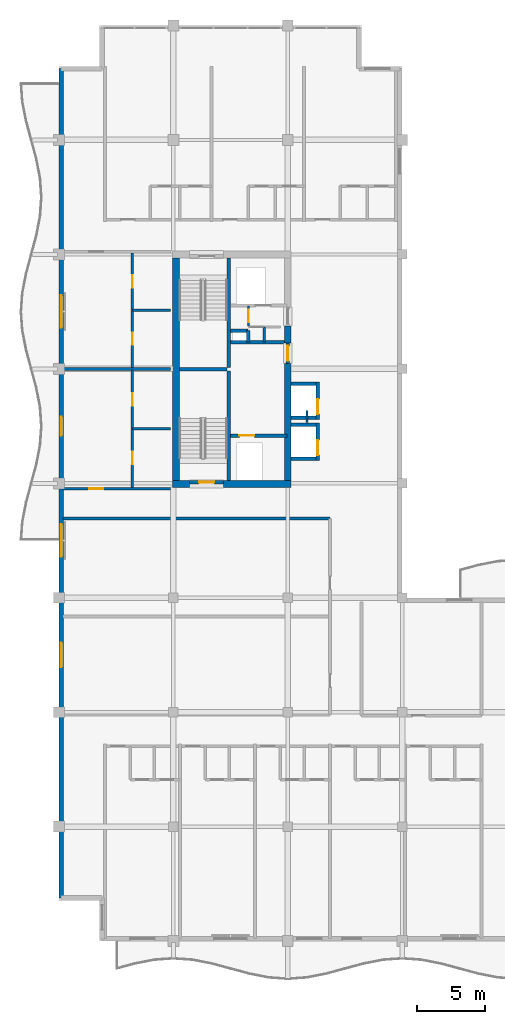
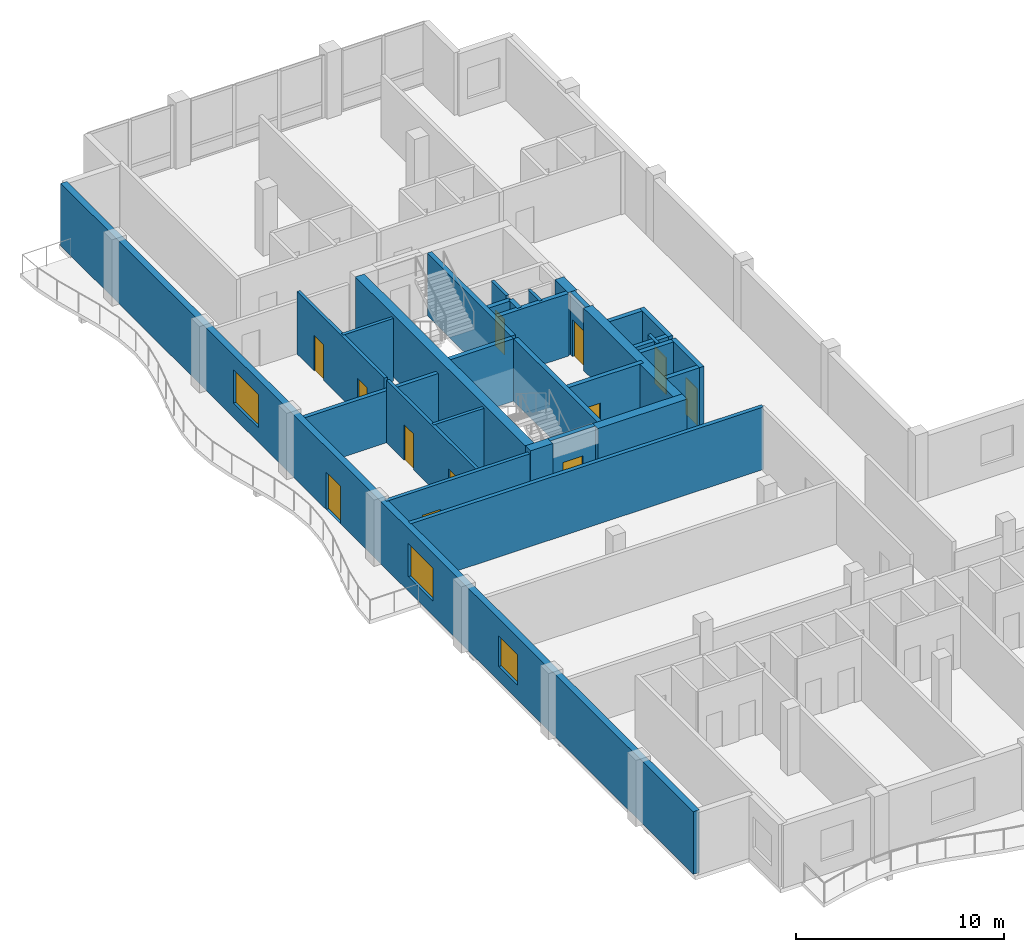
# One storey, part 10 of 17: 31 walls, 12 doors, 3 windows, 15 openings.
"""IFC4 building model written with IfcOpenShell, lengths in metres."""

from ifc_helpers import new_model, si_unit, direction, frame, frame_2d, origin, place, context, subcontext, project, spatial, rectangle, extrude, material, layer, layer_set, type_object, element, fill, save


model = new_model("IFC4")

# Units and contexts
model_context = context("Model", 3, precision=1e-05, world=origin(), true_north=direction((0.0, 1.0)))
body_context = subcontext(model_context, "Body", "Model", "MODEL_VIEW")
ifc_project = project(units=[si_unit("LENGTHUNIT", "METRE"), si_unit("AREAUNIT", "SQUARE_METRE"), si_unit("VOLUMEUNIT", "CUBIC_METRE"), si_unit("PLANEANGLEUNIT", "RADIAN"), si_unit("MASSUNIT", "GRAM", prefix="KILO")], contexts=[model_context])

# Site, building, storey
site_placement = place(None, origin())
site = spatial("IfcSite", under=ifc_project, at=site_placement, CompositionType="ELEMENT")
building_placement = place(site_placement, origin())
building = spatial("IfcBuilding", under=site, at=building_placement, Name="Koriwani Terraces Tower", CompositionType="ELEMENT")
storey_placement = place(building_placement, frame((0.0, 0.0, 347.60009765625)))
storey = spatial("IfcBuildingStorey", under=building, at=storey_placement, Name="L86", CompositionType="ELEMENT", Elevation=347.60009765625)

# Walls
ifc_material_1 = material(Name="Concrete C50/60", Category="concrete")
ifc_layer_1 = layer(ifc_material_1, 0.5, Name="Concrete C50/60")
ifc_layer_set_1 = layer_set([ifc_layer_1], Name="Concrete C50/60")
wall_type_1 = type_object("IfcWallType", Name="WALL_CORE_RC_500", PredefinedType="SHEAR", material=ifc_layer_set_1)
wall_1_placement = place(storey_placement, frame((16.75, 41.949951171875, 0.0), z_axis=(0.0, 0.0, 1.0), x_axis=(1.0, 0.0, 0.0)))
element("IfcWall", 1, at=wall_1_placement, inside=storey, type_object=wall_type_1, Name="L86 West Split Core Shear Wall S1", PredefinedType="SHEAR", context=body_context, shape_type="SweptSolid", body=[
    extrude(rectangle(XDim=1.25, YDim=0.5, at=frame_2d((0.625, 0.0))), origin(), (0.0, 0.0, 1.0), 3.669921875),
])
wall_2_placement = place(storey_placement, frame((20.5, 41.949951171875, 0.0), z_axis=(0.0, 0.0, 1.0), x_axis=(1.0, 0.0, 0.0)))
element("IfcWall", 2, at=wall_2_placement, inside=storey, type_object=wall_type_1, Name="L86 West Split Core Shear Wall S2", PredefinedType="SHEAR", context=body_context, shape_type="SweptSolid", body=[
    extrude(rectangle(XDim=4.949951171875, YDim=0.5, at=frame_2d((2.47509765625, 0.0))), origin(), (0.0, 0.0, 1.0), 3.669921875),
])
wall_3_placement = place(storey_placement, frame((17.0, 42.199951171875, 0.0), z_axis=(0.0, 0.0, 1.0), x_axis=(0.0, 1.0, 0.0)))
element("IfcWall", 3, at=wall_3_placement, inside=storey, type_object=wall_type_1, Name="L86 West Split Core Shear Wall W1", PredefinedType="SHEAR", context=body_context, shape_type="SweptSolid", body=[
    extrude(rectangle(XDim=16.35009765625, YDim=0.5, at=frame_2d((8.175048828125, 0.0))), origin(), (0.0, 0.0, 1.0), 3.669921875),
])
wall_4_placement = place(storey_placement, frame((25.199951171875, 42.199951171875, 0.0), z_axis=(0.0, 0.0, 1.0), x_axis=(0.0, 1.0, 0.0)))
element("IfcWall", 4, at=wall_4_placement, inside=storey, type_object=wall_type_1, Name="L86 West Split Core Shear Wall E1", PredefinedType="SHEAR", context=body_context, shape_type="SweptSolid", body=[
    extrude(rectangle(XDim=8.60009765625, YDim=0.5, at=frame_2d((4.300048828125, 0.0))), origin(), (0.0, 0.0, 1.0), 3.669921875),
])
wall_5_placement = place(storey_placement, frame((25.199951171875, 52.280029296875, 0.0), z_axis=(0.0, 0.0, 1.0), x_axis=(0.0, 1.0, 0.0)))
element("IfcWall", 5, at=wall_5_placement, inside=storey, type_object=wall_type_1, Name="L86 West Split Core Shear Wall E2", PredefinedType="SHEAR", context=body_context, shape_type="SweptSolid", body=[
    extrude(rectangle(XDim=1.27001953125, YDim=0.5, at=frame_2d((0.635009765625, 0.0))), origin(), (0.0, 0.0, 1.0), 3.669921875),
])

# Wall, opening, door
ifc_material_2 = material(Name="Autoclaved Cellular Concrete Blockwork", Category="masonry")
ifc_layer_2 = layer(ifc_material_2, 0.199951171875, Name="Autoclaved Cellular Concrete Blockwork")
ifc_layer_set_2 = layer_set([ifc_layer_2], Name="Autoclaved Cellular Concrete Blockwork")
wall_type_2 = type_object("IfcWallType", Name="WALL_CORRIDOR_200", PredefinedType="PARTITIONING", material=ifc_layer_set_2)
wall_6_placement = place(storey_placement, frame((8.64990234375, 41.60009765625, 0.0), z_axis=(0.0, 0.0, 1.0), x_axis=(1.0, 0.0, 0.0)))
wall_6 = element("IfcWall", 6, at=wall_6_placement, inside=storey, type_object=wall_type_2, Name="L86 Interior Wall WRZ4-WS-L86", PredefinedType="PARTITIONING", context=body_context, shape_type="SweptSolid", body=[
    extrude(rectangle(XDim=7.9501953125, YDim=0.199951171875, at=frame_2d((3.97509765625, 0.0))), origin(), (0.0, 0.0, 1.0), 3.669921875),
])
opening_1_placement = place(wall_6_placement, frame((2.0, 0.0, 0.0)))
opening_1 = element("IfcOpeningElement", 7, at=opening_1_placement, cuts=wall_6, Name="Opening D-05", PredefinedType="OPENING", context=body_context, shape_type="SweptSolid", body=[
    extrude(rectangle(XDim=1.0, YDim=2.14990234375, at=frame_2d((0.5, 1.074951171875))), frame((0.0, 0.10986328125, 0.0), z_axis=(0.0, -1.0, 0.0), x_axis=(1.0, 0.0, 0.0)), (0.0, 0.0, 1.0), 0.219970703125),
])
ifc_material_3 = material(Name="Architectural Oak Fire Door", Category="wood")
door_type_1 = type_object("IfcDoorType", Name="DOOR_SUITE_ENTRY_1000X2150", OperationType="NOTDEFINED", PredefinedType="DOOR", material=ifc_material_3)
door_1_placement = place(opening_1_placement, origin())
door_1 = element("IfcDoor", 8, at=door_1_placement, inside=storey, type_object=door_type_1, Name="Apartment 86RW1 Entrance Door", OperationType="SINGLE_SWING_LEFT", OverallHeight=2.14990234375, OverallWidth=1.0, PredefinedType="DOOR", context=body_context, shape_type="SweptSolid", body=[
    extrude(rectangle(XDim=1.0, YDim=2.14990234375, at=frame_2d((0.5, 1.074951171875))), frame((0.0, 0.02490234375, 0.0), z_axis=(0.0, -1.0, 0.0), x_axis=(1.0, 0.0, 0.0)), (0.0, 0.0, 1.0), 0.050048828125),
])
fill(opening_1, door_1)

# Walls
ifc_layer_3 = layer(ifc_material_2, 0.219970703125, Name="Autoclaved Cellular Concrete Blockwork")
ifc_layer_set_3 = layer_set([ifc_layer_3], Name="Autoclaved Cellular Concrete Blockwork")
wall_type_3 = type_object("IfcWallType", Name="WALL_DEMISING_220", PredefinedType="PARTITIONING", material=ifc_layer_set_3)
wall_7_placement = place(storey_placement, frame((8.64990234375, 50.39990234375, 0.0), z_axis=(0.0, 0.0, 1.0), x_axis=(1.0, 0.0, 0.0)))
element("IfcWall", 9, at=wall_7_placement, inside=storey, type_object=wall_type_3, Name="L86 Interior Wall WRZ4-WM-L86", PredefinedType="PARTITIONING", context=body_context, shape_type="SweptSolid", body=[
    extrude(rectangle(XDim=7.9501953125, YDim=0.219970703125, at=frame_2d((3.97509765625, 0.0))), origin(), (0.0, 0.0, 1.0), 3.058837890625),
])
wall_8_placement = place(storey_placement, frame((8.699951171875, 39.39990234375, 0.0), z_axis=(0.0, 0.0, 1.0), x_axis=(1.0, 0.0, 0.0)))
element("IfcWall", 10, at=wall_8_placement, inside=storey, type_object=wall_type_3, Name="L86 Interior Wall WZ4NEN-L86", PredefinedType="PARTITIONING", context=body_context, shape_type="SweptSolid", body=[
    extrude(rectangle(XDim=19.60009765625, YDim=0.219970703125, at=frame_2d((9.800048828125, 0.0))), origin(), (0.0, 0.0, 1.0), 3.669921875),
])

# Wall, openings, door, windows
ifc_layer_4 = layer(ifc_material_1, 0.35009765625, Name="Concrete C50/60")
ifc_layer_set_4 = layer_set([ifc_layer_4], Name="Concrete C50/60")
wall_type_4 = type_object("IfcWallType", Name="WALL_EXT_BRUTALIST_350", PredefinedType="STANDARD", material=ifc_layer_set_4)
wall_9_placement = place(storey_placement, frame((8.574951171875, 11.574951171875, 0.0), z_axis=(0.0, 0.0, 1.0), x_axis=(0.0, 1.0, 0.0)))
wall_9 = element("IfcWall", 11, at=wall_9_placement, inside=storey, type_object=wall_type_4, Name="L86 Fair-Faced Brutalist Exterior Wall (W)", PredefinedType="STANDARD", context=body_context, shape_type="SweptSolid", body=[
    extrude(rectangle(XDim=60.85009765625, YDim=0.35009765625, at=frame_2d((30.425048828125, 0.0))), origin(), (0.0, 0.0, 1.0), 3.669921875),
])
opening_2_placement = place(wall_9_placement, frame((33.925048828125, 0.0, 0.0)))
opening_2 = element("IfcOpeningElement", 12, at=opening_2_placement, cuts=wall_9, Name="Opening D-09", PredefinedType="OPENING", context=body_context, shape_type="SweptSolid", body=[
    extrude(rectangle(XDim=1.39990234375, YDim=2.199951171875, at=frame_2d((0.699951171875, 1.10009765625))), frame((0.0, 0.18505859375, 0.0), z_axis=(0.0, -1.0, 0.0), x_axis=(1.0, 0.0, 0.0)), (0.0, 0.0, 1.0), 0.3701171875),
])
opening_3_placement = place(wall_9_placement, frame((16.925048828125, 0.0, 0.85009765625)))
opening_3 = element("IfcOpeningElement", 13, at=opening_3_placement, cuts=wall_9, Name="Opening W-04", PredefinedType="OPENING", context=body_context, shape_type="SweptSolid", body=[
    extrude(rectangle(XDim=1.800048828125, YDim=1.800048828125, at=frame_2d((0.89990234375, 0.89990234375))), frame((0.0, 0.18505859375, 0.0), z_axis=(0.0, -1.0, 0.0), x_axis=(1.0, 0.0, 0.0)), (0.0, 0.0, 1.0), 0.3701171875),
])
opening_4_placement = place(wall_9_placement, frame((25.02490234375, 0.0, 0.85009765625)))
opening_4 = element("IfcOpeningElement", 14, at=opening_4_placement, cuts=wall_9, Name="Opening W-03", PredefinedType="OPENING", context=body_context, shape_type="SweptSolid", body=[
    extrude(rectangle(XDim=2.39990234375, YDim=1.949951171875, at=frame_2d((1.199951171875, 0.97509765625))), frame((0.0, 0.18505859375, 0.0), z_axis=(0.0, -1.0, 0.0), x_axis=(1.0, 0.0, 0.0)), (0.0, 0.0, 1.0), 0.3701171875),
])
opening_5_placement = place(wall_9_placement, frame((41.824951171875, 0.0, 0.85009765625)))
opening_5 = element("IfcOpeningElement", 15, at=opening_5_placement, cuts=wall_9, Name="Opening W-03", PredefinedType="OPENING", context=body_context, shape_type="SweptSolid", body=[
    extrude(rectangle(XDim=2.39990234375, YDim=1.949951171875, at=frame_2d((1.199951171875, 0.97509765625))), frame((0.0, 0.18505859375, 0.0), z_axis=(0.0, -1.0, 0.0), x_axis=(1.0, 0.0, 0.0)), (0.0, 0.0, 1.0), 0.3701171875),
])
ifc_material_4 = material(Name="Anodised Bronze Aluminium", Category="aluminium")
door_type_2 = type_object("IfcDoorType", Name="DOOR_BALCONY_GLAZED_1400X2200", OperationType="NOTDEFINED", PredefinedType="DOOR", material=ifc_material_4)
door_2_placement = place(opening_2_placement, origin())
door_2 = element("IfcDoor", 16, at=door_2_placement, inside=storey, type_object=door_type_2, Name="L86 West Balcony Glazed Door", OperationType="SINGLE_SWING_LEFT", OverallHeight=2.199951171875, OverallWidth=1.39990234375, PredefinedType="DOOR", context=body_context, shape_type="SweptSolid", body=[
    extrude(rectangle(XDim=1.39990234375, YDim=2.199951171875, at=frame_2d((0.699951171875, 1.10009765625))), frame((0.0, 0.02490234375, 0.0), z_axis=(0.0, -1.0, 0.0), x_axis=(1.0, 0.0, 0.0)), (0.0, 0.0, 1.0), 0.050048828125),
])
fill(opening_2, door_2)
ifc_material_5 = material(Name="Tempered Laminated Low-E Glass", Category="glass")
window_type_1 = type_object("IfcWindowType", Name="WIN_RES_BED_1800X1800", PartitioningType="DOUBLE_PANEL_VERTICAL", PredefinedType="WINDOW", material=ifc_material_5)
window_1_placement = place(opening_3_placement, origin())
window_1 = element("IfcWindow", 17, at=window_1_placement, inside=storey, type_object=window_type_1, Name="L86 Exterior Window (W-6)", OverallHeight=1.800048828125, OverallWidth=1.800048828125, PartitioningType="SINGLE_PANEL", PredefinedType="WINDOW", context=body_context, shape_type="SweptSolid", body=[
    extrude(rectangle(XDim=1.800048828125, YDim=1.800048828125, at=frame_2d((0.89990234375, 0.89990234375))), frame((0.0, 0.030029296875, 0.0), z_axis=(0.0, -1.0, 0.0), x_axis=(1.0, 0.0, 0.0)), (0.0, 0.0, 1.0), 0.06005859375),
])
fill(opening_3, window_1)
window_type_2 = type_object("IfcWindowType", Name="WIN_RES_LIVING_2400X1950", PartitioningType="DOUBLE_PANEL_VERTICAL", PredefinedType="WINDOW", material=ifc_material_5)
window_2_placement = place(opening_4_placement, origin())
window_2 = element("IfcWindow", 18, at=window_2_placement, inside=storey, type_object=window_type_2, Name="L86 Exterior Window (W-9)", OverallHeight=1.949951171875, OverallWidth=2.39990234375, PartitioningType="SINGLE_PANEL", PredefinedType="WINDOW", context=body_context, shape_type="SweptSolid", body=[
    extrude(rectangle(XDim=2.39990234375, YDim=1.949951171875, at=frame_2d((1.199951171875, 0.97509765625))), frame((0.0, 0.030029296875, 0.0), z_axis=(0.0, -1.0, 0.0), x_axis=(1.0, 0.0, 0.0)), (0.0, 0.0, 1.0), 0.06005859375),
])
fill(opening_4, window_2)
window_3_placement = place(opening_5_placement, origin())
window_3 = element("IfcWindow", 19, at=window_3_placement, inside=storey, type_object=window_type_2, Name="L86 Exterior Window (W-15)", OverallHeight=1.949951171875, OverallWidth=2.39990234375, PartitioningType="SINGLE_PANEL", PredefinedType="WINDOW", context=body_context, shape_type="SweptSolid", body=[
    extrude(rectangle(XDim=2.39990234375, YDim=1.949951171875, at=frame_2d((1.199951171875, 0.97509765625))), frame((0.0, 0.030029296875, 0.0), z_axis=(0.0, -1.0, 0.0), x_axis=(1.0, 0.0, 0.0)), (0.0, 0.0, 1.0), 0.06005859375),
])
fill(opening_5, window_3)

# Wall, openings, doors
ifc_material_6 = material(Name="Fire-Rated Acoustic Gypsum Partition", Category="masonry")
ifc_layer_5 = layer(ifc_material_6, 0.179931640625, Name="Fire-Rated Acoustic Gypsum Partition")
ifc_layer_set_5 = layer_set([ifc_layer_5], Name="Fire-Rated Acoustic Gypsum Partition")
wall_type_5 = type_object("IfcWallType", Name="WALL_PLUMBING_180", PredefinedType="PLUMBINGWALL", material=ifc_layer_set_5)
wall_10_placement = place(storey_placement, frame((13.800048828125, 41.699951171875, 0.0), z_axis=(0.0, 0.0, 1.0), x_axis=(0.0, 1.0, 0.0)))
wall_10 = element("IfcWall", 20, at=wall_10_placement, inside=storey, type_object=wall_type_5, Name="L86 Interior Wall WRZ4-RW1-PB-L86", PredefinedType="PLUMBINGWALL", context=body_context, shape_type="SweptSolid", body=[
    extrude(rectangle(XDim=8.60009765625, YDim=0.179931640625, at=frame_2d((4.300048828125, 0.0))), origin(), (0.0, 0.0, 1.0), 3.669921875),
])
opening_6_placement = place(wall_10_placement, frame((1.699951171875, 0.0, 0.0)))
opening_6 = element("IfcOpeningElement", 21, at=opening_6_placement, cuts=wall_10, Name="Opening D-07", PredefinedType="OPENING", context=body_context, shape_type="SweptSolid", body=[
    extrude(rectangle(XDim=0.89990234375, YDim=2.10009765625, at=frame_2d((0.449951171875, 1.050048828125))), frame((0.0, 0.10009765625, 0.0), z_axis=(0.0, -1.0, 0.0), x_axis=(1.0, 0.0, 0.0)), (0.0, 0.0, 1.0), 0.199951171875),
])
opening_7_placement = place(wall_10_placement, frame((5.989990234375, 0.0, 0.0)))
opening_7 = element("IfcOpeningElement", 22, at=opening_7_placement, cuts=wall_10, Name="Opening D-06", PredefinedType="OPENING", context=body_context, shape_type="SweptSolid", body=[
    extrude(rectangle(XDim=0.919921875, YDim=2.10009765625, at=frame_2d((0.4599609375, 1.050048828125))), frame((0.0, 0.10009765625, 0.0), z_axis=(0.0, -1.0, 0.0), x_axis=(1.0, 0.0, 0.0)), (0.0, 0.0, 1.0), 0.199951171875),
])
door_type_3 = type_object("IfcDoorType", Name="DOOR_BATH_INT_900X2100", OperationType="NOTDEFINED", PredefinedType="DOOR", material=ifc_material_3)
door_3_placement = place(opening_6_placement, origin())
door_3 = element("IfcDoor", 23, at=door_3_placement, inside=storey, type_object=door_type_3, Name="Apartment 86RW1 Bathroom Door", OperationType="SINGLE_SWING_LEFT", OverallHeight=2.10009765625, OverallWidth=0.89990234375, PredefinedType="DOOR", context=body_context, shape_type="SweptSolid", body=[
    extrude(rectangle(XDim=0.89990234375, YDim=2.10009765625, at=frame_2d((0.449951171875, 1.050048828125))), frame((0.0, 0.02490234375, 0.0), z_axis=(0.0, -1.0, 0.0), x_axis=(1.0, 0.0, 0.0)), (0.0, 0.0, 1.0), 0.050048828125),
])
fill(opening_6, door_3)
door_type_4 = type_object("IfcDoorType", Name="DOOR_ROOM_INT_920X2100", OperationType="NOTDEFINED", PredefinedType="DOOR", material=ifc_material_3)
door_4_placement = place(opening_7_placement, origin())
door_4 = element("IfcDoor", 24, at=door_4_placement, inside=storey, type_object=door_type_4, Name="Apartment 86RW1 Kitchen Door", OperationType="SINGLE_SWING_RIGHT", OverallHeight=2.10009765625, OverallWidth=0.919921875, PredefinedType="DOOR", context=body_context, shape_type="SweptSolid", body=[
    extrude(rectangle(XDim=0.919921875, YDim=2.10009765625, at=frame_2d((0.4599609375, 1.050048828125))), frame((0.0, 0.02490234375, 0.0), z_axis=(0.0, -1.0, 0.0), x_axis=(1.0, 0.0, 0.0)), (0.0, 0.0, 1.0), 0.050048828125),
])
fill(opening_7, door_4)

# Wall
wall_11_placement = place(storey_placement, frame((13.800048828125, 46.0, 0.0), z_axis=(0.0, 0.0, 1.0), x_axis=(1.0, 0.0, 0.0)))
element("IfcWall", 25, at=wall_11_placement, inside=storey, type_object=wall_type_5, Name="L86 Interior Wall WRZ4-RW1-P2-L86", PredefinedType="PLUMBINGWALL", context=body_context, shape_type="SweptSolid", body=[
    extrude(rectangle(XDim=2.800048828125, YDim=0.179931640625, at=frame_2d((1.39990234375, 0.0))), origin(), (0.0, 0.0, 1.0), 3.669921875),
])

# Wall, openings, doors
wall_12_placement = place(storey_placement, frame((13.800048828125, 50.5, 0.0), z_axis=(0.0, 0.0, 1.0), x_axis=(0.0, 1.0, 0.0)))
wall_12 = element("IfcWall", 26, at=wall_12_placement, inside=storey, type_object=wall_type_5, Name="L86 Interior Wall WRZ4-RW2-PB-L86", PredefinedType="PLUMBINGWALL", context=body_context, shape_type="SweptSolid", body=[
    extrude(rectangle(XDim=8.39990234375, YDim=0.179931640625, at=frame_2d((4.199951171875, 0.0))), origin(), (0.0, 0.0, 1.0), 3.669921875),
])
opening_8_placement = place(wall_12_placement, frame((1.64990234375, 0.0, 0.0)))
opening_8 = element("IfcOpeningElement", 27, at=opening_8_placement, cuts=wall_12, Name="Opening D-07", PredefinedType="OPENING", context=body_context, shape_type="SweptSolid", body=[
    extrude(rectangle(XDim=0.89990234375, YDim=2.10009765625, at=frame_2d((0.449951171875, 1.050048828125))), frame((0.0, 0.10009765625, 0.0), z_axis=(0.0, -1.0, 0.0), x_axis=(1.0, 0.0, 0.0)), (0.0, 0.0, 1.0), 0.199951171875),
])
opening_9_placement = place(wall_12_placement, frame((5.840087890625, 0.0, 0.0)))
opening_9 = element("IfcOpeningElement", 28, at=opening_9_placement, cuts=wall_12, Name="Opening D-06", PredefinedType="OPENING", context=body_context, shape_type="SweptSolid", body=[
    extrude(rectangle(XDim=0.919921875, YDim=2.10009765625, at=frame_2d((0.4599609375, 1.050048828125))), frame((0.0, 0.10009765625, 0.0), z_axis=(0.0, -1.0, 0.0), x_axis=(1.0, 0.0, 0.0)), (0.0, 0.0, 1.0), 0.199951171875),
])
door_5_placement = place(opening_8_placement, origin())
door_5 = element("IfcDoor", 29, at=door_5_placement, inside=storey, type_object=door_type_3, Name="Apartment 86RW2 Bathroom Door", OperationType="SINGLE_SWING_LEFT", OverallHeight=2.10009765625, OverallWidth=0.89990234375, PredefinedType="DOOR", context=body_context, shape_type="SweptSolid", body=[
    extrude(rectangle(XDim=0.89990234375, YDim=2.10009765625, at=frame_2d((0.449951171875, 1.050048828125))), frame((0.0, 0.02490234375, 0.0), z_axis=(0.0, -1.0, 0.0), x_axis=(1.0, 0.0, 0.0)), (0.0, 0.0, 1.0), 0.050048828125),
])
fill(opening_8, door_5)
door_6_placement = place(opening_9_placement, origin())
door_6 = element("IfcDoor", 30, at=door_6_placement, inside=storey, type_object=door_type_4, Name="Apartment 86RW2 Kitchen Door", OperationType="SINGLE_SWING_RIGHT", OverallHeight=2.10009765625, OverallWidth=0.919921875, PredefinedType="DOOR", context=body_context, shape_type="SweptSolid", body=[
    extrude(rectangle(XDim=0.919921875, YDim=2.10009765625, at=frame_2d((0.4599609375, 1.050048828125))), frame((0.0, 0.02490234375, 0.0), z_axis=(0.0, -1.0, 0.0), x_axis=(1.0, 0.0, 0.0)), (0.0, 0.0, 1.0), 0.050048828125),
])
fill(opening_9, door_6)

# Walls
wall_13_placement = place(storey_placement, frame((13.800048828125, 54.699951171875, 0.0), z_axis=(0.0, 0.0, 1.0), x_axis=(1.0, 0.0, 0.0)))
element("IfcWall", 31, at=wall_13_placement, inside=storey, type_object=wall_type_5, Name="L86 Interior Wall WRZ4-RW2-P2-L86", PredefinedType="PLUMBINGWALL", context=body_context, shape_type="SweptSolid", body=[
    extrude(rectangle(XDim=2.800048828125, YDim=0.179931640625, at=frame_2d((1.39990234375, 0.0))), origin(), (0.0, 0.0, 1.0), 3.669921875),
])
ifc_material_7 = material(Name="Concrete C40/50", Category="concrete")
ifc_layer_6 = layer(ifc_material_7, 0.25, Name="Concrete C40/50")
ifc_layer_set_6 = layer_set([ifc_layer_6], Name="Concrete C40/50")
wall_type_6 = type_object("IfcWallType", Name="WALL_SHAFT_RATED_250", PredefinedType="SOLIDWALL", material=ifc_layer_set_6)
for number, where, z_axis, x_axis, name in (
    (32, (20.875, 42.199951171875, 0.0), (0.0, 0.0, 1.0), (0.0, 1.0, 0.0), "L86 West Split Core Web Wall MID1"),
    (33, (20.875, 50.5, 0.0), (0.0, 0.0, 1.0), (0.0, 1.0, 0.0), "L86 West Split Core Web Wall MID2"),
):
    element("IfcWall", number, at=place(storey_placement, frame(where, z_axis=z_axis, x_axis=x_axis)), inside=storey, type_object=wall_type_6, Name=name, PredefinedType="SOLIDWALL", context=body_context, shape_type="SweptSolid", body=[
        extrude(rectangle(XDim=8.050048828125, YDim=0.25, at=frame_2d((4.02490234375, 0.0))), origin(), (0.0, 0.0, 1.0), 3.669921875),
    ])
wall_14_placement = place(storey_placement, frame((17.25, 50.375, 0.0), z_axis=(0.0, 0.0, 1.0), x_axis=(1.0, 0.0, 0.0)))
element("IfcWall", 34, at=wall_14_placement, inside=storey, type_object=wall_type_6, Name="L86 West Split Core Stair Dividing Wall", PredefinedType="SOLIDWALL", context=body_context, shape_type="SweptSolid", body=[
    extrude(rectangle(XDim=3.5, YDim=0.25, at=frame_2d((1.75, 0.0))), origin(), (0.0, 0.0, 1.0), 3.669921875),
])

# Wall, opening, door
wall_15_placement = place(storey_placement, frame((18.0, 42.074951171875, 0.0), z_axis=(0.0, 0.0, 1.0), x_axis=(1.0, 0.0, 0.0)))
wall_15 = element("IfcWall", 35, at=wall_15_placement, inside=storey, type_object=wall_type_6, Name="L86 Interior Wall WIN-CW-L86-STS", PredefinedType="SOLIDWALL", context=body_context, shape_type="SweptSolid", body=[
    extrude(rectangle(XDim=2.5, YDim=0.25, at=frame_2d((1.25, 0.0))), origin(), (0.0, 0.0, 1.0), 3.669921875),
])
opening_10_placement = place(wall_15_placement, frame((0.699951171875, 0.0, 0.0)))
opening_10 = element("IfcOpeningElement", 36, at=opening_10_placement, cuts=wall_15, Name="Opening D-03", PredefinedType="OPENING", context=body_context, shape_type="SweptSolid", body=[
    extrude(rectangle(XDim=1.10009765625, YDim=2.14990234375, at=frame_2d((0.550048828125, 1.074951171875))), frame((0.0, 0.135009765625, 0.0), z_axis=(0.0, -1.0, 0.0), x_axis=(1.0, 0.0, 0.0)), (0.0, 0.0, 1.0), 0.27001953125),
])
ifc_material_8 = material(Name="Steel ASTM A572 Grade 50", Category="steel")
door_type_5 = type_object("IfcDoorType", Name="DOOR_STAIR_FIRE_1100X2150", OperationType="NOTDEFINED", PredefinedType="DOOR", material=ifc_material_8)
door_7_placement = place(opening_10_placement, origin())
door_7 = element("IfcDoor", 37, at=door_7_placement, inside=storey, type_object=door_type_5, Name="L86 Exit Stair ST-W1 Door", OperationType="SINGLE_SWING_RIGHT", OverallHeight=2.14990234375, OverallWidth=1.10009765625, PredefinedType="DOOR", context=body_context, shape_type="SweptSolid", body=[
    extrude(rectangle(XDim=1.10009765625, YDim=2.14990234375, at=frame_2d((0.550048828125, 1.074951171875))), frame((0.0, 0.02490234375, 0.0), z_axis=(0.0, -1.0, 0.0), x_axis=(1.0, 0.0, 0.0)), (0.0, 0.0, 1.0), 0.050048828125),
])
fill(opening_10, door_7)

wall_16_placement = place(storey_placement, frame((21.0, 45.5, 0.0), z_axis=(0.0, 0.0, 1.0), x_axis=(1.0, 0.0, 0.0)))
wall_16 = element("IfcWall", 38, at=wall_16_placement, inside=storey, type_object=wall_type_6, Name="L86 Interior Wall WIN-CW-L86-FE", PredefinedType="SOLIDWALL", context=body_context, shape_type="SweptSolid", body=[
    extrude(rectangle(XDim=4.14990234375, YDim=0.25, at=frame_2d((2.074951171875, 0.0))), origin(), (0.0, 0.0, 1.0), 3.669921875),
])
opening_11_placement = place(wall_16_placement, frame((0.64990234375, 0.0, 0.0)))
opening_11 = element("IfcOpeningElement", 39, at=opening_11_placement, cuts=wall_16, Name="Opening LD-01", PredefinedType="OPENING", context=body_context, shape_type="SweptSolid", body=[
    extrude(rectangle(XDim=1.10009765625, YDim=2.14990234375, at=frame_2d((0.550048828125, 1.074951171875))), frame((0.0, 0.135009765625, 0.0), z_axis=(0.0, -1.0, 0.0), x_axis=(1.0, 0.0, 0.0)), (0.0, 0.0, 1.0), 0.27001953125),
])
door_type_6 = type_object("IfcDoorType", Name="DOOR_LIFT_LANDING_1100X2200", OperationType="NOTDEFINED", PredefinedType="DOOR", material=ifc_material_8)
door_8_placement = place(opening_11_placement, origin())
door_8 = element("IfcDoor", 40, at=door_8_placement, inside=storey, type_object=door_type_6, Name="L86 Firefighting Lift FE-01 Landing Door", OperationType="SLIDING_TO_LEFT", OverallHeight=2.14990234375, OverallWidth=1.10009765625, PredefinedType="DOOR", context=body_context, shape_type="SweptSolid", body=[
    extrude(rectangle(XDim=1.10009765625, YDim=2.14990234375, at=frame_2d((0.550048828125, 1.074951171875))), frame((0.0, 0.02490234375, 0.0), z_axis=(0.0, -1.0, 0.0), x_axis=(1.0, 0.0, 0.0)), (0.0, 0.0, 1.0), 0.050048828125),
])
fill(opening_11, door_8)

wall_17_placement = place(storey_placement, frame((25.199951171875, 50.800048828125, 0.0), z_axis=(0.0, 0.0, 1.0), x_axis=(0.0, 1.0, 0.0)))
wall_17 = element("IfcWall", 41, at=wall_17_placement, inside=storey, type_object=wall_type_6, Name="L86 Interior Wall WIN-CW-L86-EP", PredefinedType="SOLIDWALL", context=body_context, shape_type="SweptSolid", body=[
    extrude(rectangle(XDim=1.47998046875, YDim=0.25, at=frame_2d((0.739990234375, 0.0))), origin(), (0.0, 0.0, 1.0), 3.669921875),
])
opening_12_placement = place(wall_17_placement, frame((0.179931640625, 0.0, 0.0)))
opening_12 = element("IfcOpeningElement", 42, at=opening_12_placement, cuts=wall_17, Name="Opening D-03", PredefinedType="OPENING", context=body_context, shape_type="SweptSolid", body=[
    extrude(rectangle(XDim=1.10009765625, YDim=2.14990234375, at=frame_2d((0.550048828125, 1.074951171875))), frame((0.0, 0.135009765625, 0.0), z_axis=(0.0, -1.0, 0.0), x_axis=(1.0, 0.0, 0.0)), (0.0, 0.0, 1.0), 0.27001953125),
])
door_9_placement = place(opening_12_placement, origin())
door_9 = element("IfcDoor", 43, at=door_9_placement, inside=storey, type_object=door_type_5, Name="L86 West Firefighting Lobby Door", OperationType="SINGLE_SWING_RIGHT", OverallHeight=2.14990234375, OverallWidth=1.10009765625, PredefinedType="DOOR", context=body_context, shape_type="SweptSolid", body=[
    extrude(rectangle(XDim=1.10009765625, YDim=2.14990234375, at=frame_2d((0.550048828125, 1.074951171875))), frame((0.0, 0.02490234375, 0.0), z_axis=(0.0, -1.0, 0.0), x_axis=(1.0, 0.0, 0.0)), (0.0, 0.0, 1.0), 0.050048828125),
])
fill(opening_12, door_9)

# Walls
wall_18_placement = place(storey_placement, frame((21.0, 52.340087890625, 0.0), z_axis=(0.0, 0.0, 1.0), x_axis=(1.0, 0.0, 0.0)))
element("IfcWall", 44, at=wall_18_placement, inside=storey, type_object=wall_type_6, Name="L86 Interior Wall WIN-CW-L86-FFN", PredefinedType="SOLIDWALL", context=body_context, shape_type="SweptSolid", body=[
    extrude(rectangle(XDim=3.949951171875, YDim=0.25, at=frame_2d((1.97509765625, 0.0))), origin(), (0.0, 0.0, 1.0), 3.669921875),
])
wall_19_placement = place(storey_placement, frame((21.0, 53.199951171875, 0.0), z_axis=(0.0, 0.0, 1.0), x_axis=(1.0, 0.0, 0.0)))
element("IfcWall", 45, at=wall_19_placement, inside=storey, type_object=wall_type_6, Name="L86 Interior Wall WIN-CW-L86-RS1", PredefinedType="SOLIDWALL", context=body_context, shape_type="SweptSolid", body=[
    extrude(rectangle(XDim=1.300048828125, YDim=0.25, at=frame_2d((0.64990234375, 0.0))), origin(), (0.0, 0.0, 1.0), 3.669921875),
])
wall_20_placement = place(storey_placement, frame((22.300048828125, 52.360107421875, 0.0), z_axis=(0.0, 0.0, 1.0), x_axis=(0.0, 1.0, 0.0)))
element("IfcWall", 46, at=wall_20_placement, inside=storey, type_object=wall_type_6, Name="L86 Interior Wall WIN-CW-L86-RS2", PredefinedType="SOLIDWALL", context=body_context, shape_type="SweptSolid", body=[
    extrude(rectangle(XDim=0.83984375, YDim=0.25, at=frame_2d((0.419921875, 0.0))), origin(), (0.0, 0.0, 1.0), 3.669921875),
])

# Wall, opening, door
wall_21_placement = place(storey_placement, frame((27.39990234375, 43.675048828125, 0.0), z_axis=(0.0, 0.0, 1.0), x_axis=(0.0, 1.0, 0.0)))
wall_21 = element("IfcWall", 47, at=wall_21_placement, inside=storey, type_object=wall_type_6, Name="L86 Interior Wall WIN-LF-PE-H1-L86-F", PredefinedType="SOLIDWALL", context=body_context, shape_type="SweptSolid", body=[
    extrude(rectangle(XDim=2.75, YDim=0.25, at=frame_2d((1.375, 0.0))), origin(), (0.0, 0.0, 1.0), 3.669921875),
])
opening_13_placement = place(wall_21_placement, frame((0.39990234375, 0.0, 0.0)))
opening_13 = element("IfcOpeningElement", 48, at=opening_13_placement, cuts=wall_21, Name="Opening LD-01", PredefinedType="OPENING", context=body_context, shape_type="SweptSolid", body=[
    extrude(rectangle(XDim=1.10009765625, YDim=2.14990234375, at=frame_2d((0.550048828125, 1.074951171875))), frame((0.0, 0.135009765625, 0.0), z_axis=(0.0, -1.0, 0.0), x_axis=(1.0, 0.0, 0.0)), (0.0, 0.0, 1.0), 0.27001953125),
])
door_10_placement = place(opening_13_placement, origin())
door_10 = element("IfcDoor", 49, at=door_10_placement, inside=storey, type_object=door_type_6, Name="L86 Passenger Lift PE-H1 Landing Door", OperationType="SLIDING_TO_LEFT", OverallHeight=2.14990234375, OverallWidth=1.10009765625, PredefinedType="DOOR", context=body_context, shape_type="SweptSolid", body=[
    extrude(rectangle(XDim=1.10009765625, YDim=2.14990234375, at=frame_2d((0.550048828125, 1.074951171875))), frame((0.0, 0.02490234375, 0.0), z_axis=(0.0, -1.0, 0.0), x_axis=(1.0, 0.0, 0.0)), (0.0, 0.0, 1.0), 0.050048828125),
])
fill(opening_13, door_10)

# Walls
for number, where, z_axis, x_axis, name in (
    (50, (25.449951171875, 43.800048828125, 0.0), (0.0, 0.0, 1.0), (1.0, 0.0, 0.0), "L86 Interior Wall WIN-LF-PE-H1-L86-S"),
    (51, (25.449951171875, 46.300048828125, 0.0), (0.0, 0.0, 1.0), (1.0, 0.0, 0.0), "L86 Interior Wall WIN-LF-PE-H1-L86-N"),
):
    element("IfcWall", number, at=place(storey_placement, frame(where, z_axis=z_axis, x_axis=x_axis)), inside=storey, type_object=wall_type_6, Name=name, PredefinedType="SOLIDWALL", context=body_context, shape_type="SweptSolid", body=[
        extrude(rectangle(XDim=1.824951171875, YDim=0.25, at=frame_2d((0.91259765625, 0.0))), origin(), (0.0, 0.0, 1.0), 3.669921875),
    ])

# Wall, opening, door
wall_22_placement = place(storey_placement, frame((27.39990234375, 46.675048828125, 0.0), z_axis=(0.0, 0.0, 1.0), x_axis=(0.0, 1.0, 0.0)))
wall_22 = element("IfcWall", 52, at=wall_22_placement, inside=storey, type_object=wall_type_6, Name="L86 Interior Wall WIN-LF-PE-H2-L86-F", PredefinedType="SOLIDWALL", context=body_context, shape_type="SweptSolid", body=[
    extrude(rectangle(XDim=2.75, YDim=0.25, at=frame_2d((1.375, 0.0))), origin(), (0.0, 0.0, 1.0), 3.669921875),
])
opening_14_placement = place(wall_22_placement, frame((0.39990234375, 0.0, 0.0)))
opening_14 = element("IfcOpeningElement", 53, at=opening_14_placement, cuts=wall_22, Name="Opening LD-01", PredefinedType="OPENING", context=body_context, shape_type="SweptSolid", body=[
    extrude(rectangle(XDim=1.10009765625, YDim=2.14990234375, at=frame_2d((0.550048828125, 1.074951171875))), frame((0.0, 0.135009765625, 0.0), z_axis=(0.0, -1.0, 0.0), x_axis=(1.0, 0.0, 0.0)), (0.0, 0.0, 1.0), 0.27001953125),
])
door_11_placement = place(opening_14_placement, origin())
door_11 = element("IfcDoor", 54, at=door_11_placement, inside=storey, type_object=door_type_6, Name="L86 Passenger Lift PE-H2 Landing Door", OperationType="SLIDING_TO_LEFT", OverallHeight=2.14990234375, OverallWidth=1.10009765625, PredefinedType="DOOR", context=body_context, shape_type="SweptSolid", body=[
    extrude(rectangle(XDim=1.10009765625, YDim=2.14990234375, at=frame_2d((0.550048828125, 1.074951171875))), frame((0.0, 0.02490234375, 0.0), z_axis=(0.0, -1.0, 0.0), x_axis=(1.0, 0.0, 0.0)), (0.0, 0.0, 1.0), 0.050048828125),
])
fill(opening_14, door_11)

# Walls
for number, where, z_axis, x_axis, name in (
    (55, (25.449951171875, 46.800048828125, 0.0), (0.0, 0.0, 1.0), (1.0, 0.0, 0.0), "L86 Interior Wall WIN-LF-PE-H2-L86-S"),
    (56, (25.449951171875, 49.300048828125, 0.0), (0.0, 0.0, 1.0), (1.0, 0.0, 0.0), "L86 Interior Wall WIN-LF-PE-H2-L86-N"),
):
    element("IfcWall", number, at=place(storey_placement, frame(where, z_axis=z_axis, x_axis=x_axis)), inside=storey, type_object=wall_type_6, Name=name, PredefinedType="SOLIDWALL", context=body_context, shape_type="SweptSolid", body=[
        extrude(rectangle(XDim=1.824951171875, YDim=0.25, at=frame_2d((0.91259765625, 0.0))), origin(), (0.0, 0.0, 1.0), 3.669921875),
    ])

# Wall, opening, door
ifc_layer_7 = layer(ifc_material_6, 0.159912109375, Name="Fire-Rated Acoustic Gypsum Partition")
ifc_layer_set_7 = layer_set([ifc_layer_7], Name="Fire-Rated Acoustic Gypsum Partition")
wall_type_7 = type_object("IfcWallType", Name="WALL_SUITE_160", PredefinedType="PARTITIONING", material=ifc_layer_set_7)
wall_23_placement = place(storey_placement, frame((22.320068359375, 53.56005859375, 0.0), z_axis=(0.0, 0.0, 1.0), x_axis=(0.0, 1.0, 0.0)))
wall_23 = element("IfcWall", 57, at=wall_23_placement, inside=storey, type_object=wall_type_7, Name="L86 Interior Wall WIN-CW-L86-SV2A", PredefinedType="PARTITIONING", context=body_context, shape_type="SweptSolid", body=[
    extrude(rectangle(XDim=1.43994140625, YDim=0.159912109375, at=frame_2d((0.719970703125, 0.0))), origin(), (0.0, 0.0, 1.0), 3.669921875),
])
opening_15_placement = place(wall_23_placement, frame((0.260009765625, 0.0, 0.0)))
opening_15 = element("IfcOpeningElement", 58, at=opening_15_placement, cuts=wall_23, Name="Opening D-07", PredefinedType="OPENING", context=body_context, shape_type="SweptSolid", body=[
    extrude(rectangle(XDim=0.89990234375, YDim=2.10009765625, at=frame_2d((0.449951171875, 1.050048828125))), frame((0.0, 0.08984375, 0.0), z_axis=(0.0, -1.0, 0.0), x_axis=(1.0, 0.0, 0.0)), (0.0, 0.0, 1.0), 0.179931640625),
])
door_12_placement = place(opening_15_placement, origin())
door_12 = element("IfcDoor", 59, at=door_12_placement, inside=storey, type_object=door_type_3, Name="L86 West Meter Room Door", OperationType="SINGLE_SWING_RIGHT", OverallHeight=2.10009765625, OverallWidth=0.89990234375, PredefinedType="DOOR", context=body_context, shape_type="SweptSolid", body=[
    extrude(rectangle(XDim=0.89990234375, YDim=2.10009765625, at=frame_2d((0.449951171875, 1.050048828125))), frame((0.0, 0.02490234375, 0.0), z_axis=(0.0, -1.0, 0.0), x_axis=(1.0, 0.0, 0.0)), (0.0, 0.0, 1.0), 0.050048828125),
])
fill(opening_15, door_12)

# Walls
wall_24_placement = place(storey_placement, frame((23.47998046875, 52.360107421875, 0.0), z_axis=(0.0, 0.0, 1.0), x_axis=(0.0, 1.0, 0.0)))
element("IfcWall", 60, at=wall_24_placement, inside=storey, type_object=wall_type_7, Name="L86 Interior Wall WIN-CW-L86-SV2V", PredefinedType="PARTITIONING", context=body_context, shape_type="SweptSolid", body=[
    extrude(rectangle(XDim=1.099853515625, YDim=0.159912109375, at=frame_2d((0.5498046875, 0.0))), origin(), (0.0, 0.0, 1.0), 3.669921875),
])
wall_25_placement = place(storey_placement, frame((26.60009765625, 46.4599609375, 0.0), z_axis=(0.0, 0.0, 1.0), x_axis=(0.0, 1.0, 0.0)))
element("IfcWall", 61, at=wall_25_placement, inside=storey, type_object=wall_type_7, Name="L86 Interior Wall WIN-LF-PEH12-MID-L86", PredefinedType="PARTITIONING", context=body_context, shape_type="SweptSolid", body=[
    extrude(rectangle(XDim=0.880126953125, YDim=0.159912109375, at=frame_2d((0.43994140625, 0.0))), origin(), (0.0, 0.0, 1.0), 3.669921875),
])

save(model, "model.ifc")
